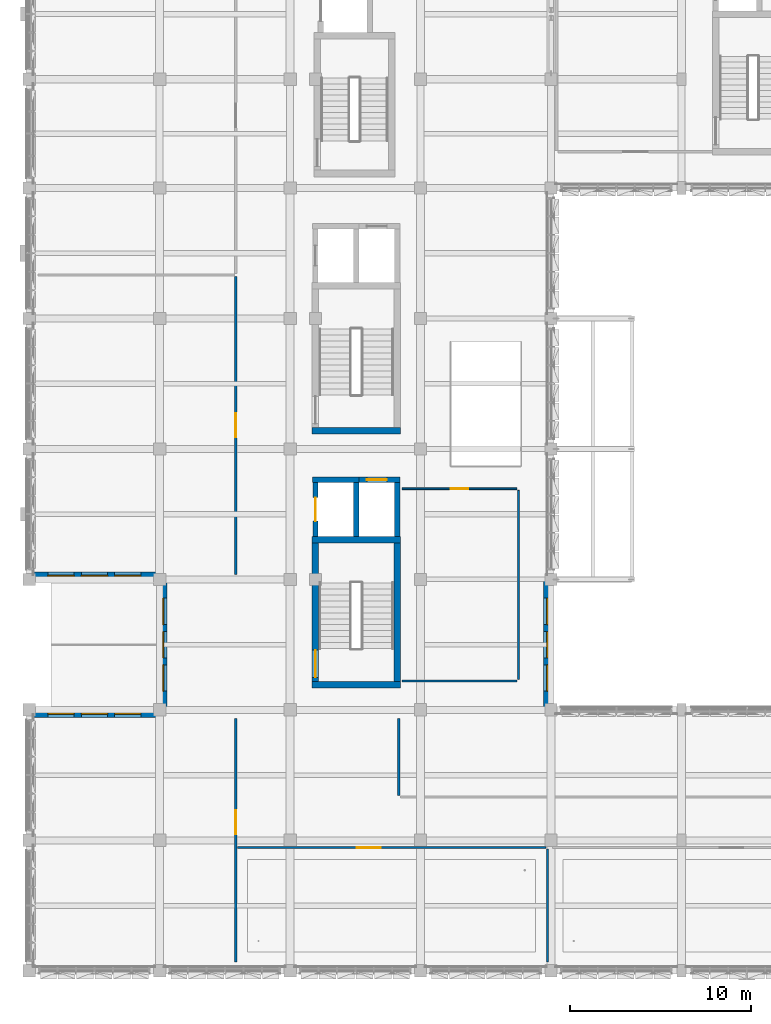
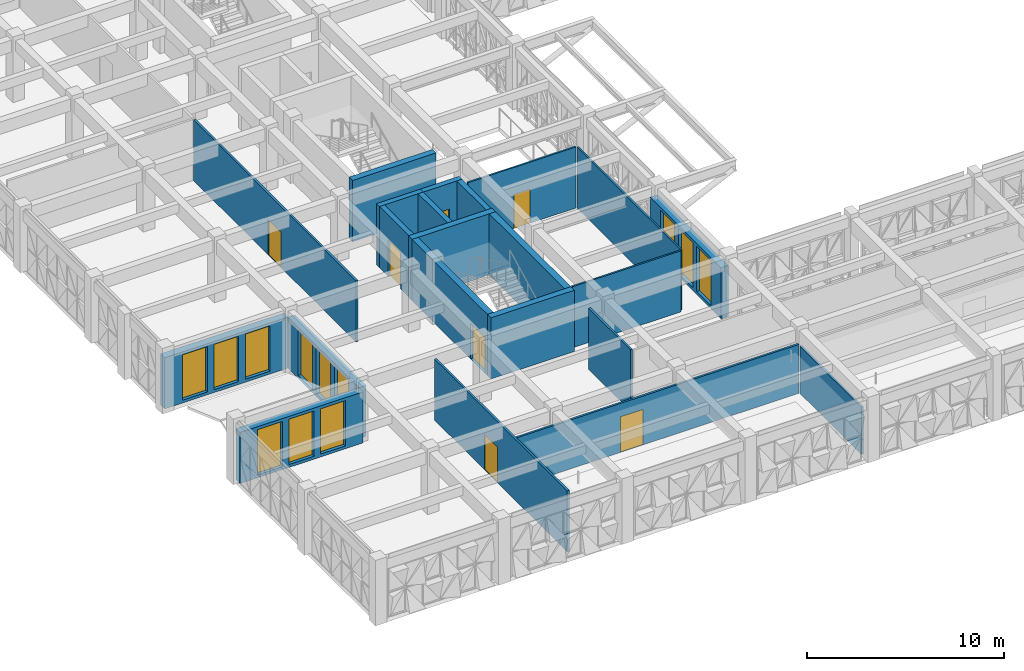
# One storey, part 42 of 88: 22 walls, 12 windows, 7 doors, 19 openings.
"""IFC4 building model written with IfcOpenShell, lengths in metres."""

from ifc_helpers import new_model, si_unit, direction, frame, frame_2d, origin, place, context, subcontext, project, spatial, rectangle, extrude, material, layer, layer_set, type_object, element, fill, save


model = new_model("IFC4")

# Units and contexts
model_context = context("Model", 3, precision=1e-05, world=origin(), true_north=direction((0.0, 1.0)))
body_context = subcontext(model_context, "Body", "Model", "MODEL_VIEW")
ifc_project = project(units=[si_unit("LENGTHUNIT", "METRE"), si_unit("AREAUNIT", "SQUARE_METRE"), si_unit("VOLUMEUNIT", "CUBIC_METRE"), si_unit("PLANEANGLEUNIT", "RADIAN"), si_unit("MASSUNIT", "GRAM", prefix="KILO")], contexts=[model_context])

# Site, building, storey
site_placement = place(None, origin())
site = spatial("IfcSite", under=ifc_project, at=site_placement, CompositionType="ELEMENT")
building_placement = place(site_placement, origin())
building = spatial("IfcBuilding", under=site, at=building_placement, Name="Alvorim Cloister Faculty of Sciences", CompositionType="ELEMENT")
storey_placement = place(building_placement, frame((0.0, 0.0, 4.5)))
storey = spatial("IfcBuildingStorey", under=building, at=storey_placement, Name="L01", CompositionType="ELEMENT", Elevation=4.5)

# Wall, openings, windows
ifc_material_1 = material(Name="Maua Grey Granite Stone", Category="masonry")
ifc_layer_1 = layer(ifc_material_1, 0.419921875)
ifc_layer_set_1 = layer_set([ifc_layer_1], Name="Maua Grey Granite Stone")
wall_type_1 = type_object("IfcWallType", Name="WL-EXT-GRN-420", PredefinedType="SOLIDWALL", material=ifc_layer_set_1)
wall_1_placement = place(storey_placement, frame((7.409912109375, 14.39990234375, 0.0), z_axis=(0.0, 0.0, 1.0), x_axis=(0.0, 1.0, 0.0)))
wall_1 = element("IfcWall", 1, at=wall_1_placement, inside=storey, type_object=wall_type_1, Name="L01 Exterior Wall WL-0105", PredefinedType="SOLIDWALL", context=body_context, shape_type="SweptSolid", body=[
    extrude(rectangle(XDim=7.2001953125, YDim=0.419921875, at=frame_2d((3.60009765625, 0.0))), origin(), (0.0, 0.0, 1.0), 3.159912109375),
])
opening_1_placement = place(wall_1_placement, frame((1.03759765625, 0.0, 0.179931640625)))
opening_1 = element("IfcOpeningElement", 2, at=opening_1_placement, cuts=wall_1, Name="Opening W-08", PredefinedType="OPENING", context=body_context, shape_type="SweptSolid", body=[
    extrude(rectangle(XDim=1.449951171875, YDim=2.800048828125, at=frame_2d((0.72509765625, 1.39990234375))), frame((0.0, 0.221923828125, 0.0), z_axis=(0.0, -1.0, 0.0), x_axis=(1.0, 0.0, 0.0)), (0.0, 0.0, 1.0), 0.44384765625),
])
opening_2_placement = place(wall_1_placement, frame((2.875, 0.0, 0.179931640625)))
opening_2 = element("IfcOpeningElement", 3, at=opening_2_placement, cuts=wall_1, Name="Opening W-08", PredefinedType="OPENING", context=body_context, shape_type="SweptSolid", body=[
    extrude(rectangle(XDim=1.449951171875, YDim=2.800048828125, at=frame_2d((0.72509765625, 1.39990234375))), frame((0.0, 0.221923828125, 0.0), z_axis=(0.0, -1.0, 0.0), x_axis=(1.0, 0.0, 0.0)), (0.0, 0.0, 1.0), 0.44384765625),
])
opening_3_placement = place(wall_1_placement, frame((4.71240234375, 0.0, 0.179931640625)))
opening_3 = element("IfcOpeningElement", 4, at=opening_3_placement, cuts=wall_1, Name="Opening W-08", PredefinedType="OPENING", context=body_context, shape_type="SweptSolid", body=[
    extrude(rectangle(XDim=1.449951171875, YDim=2.800048828125, at=frame_2d((0.72509765625, 1.39990234375))), frame((0.0, 0.221923828125, 0.0), z_axis=(0.0, -1.0, 0.0), x_axis=(1.0, 0.0, 0.0)), (0.0, 0.0, 1.0), 0.44384765625),
])
ifc_material_2 = material(Name="Double Low-E Laminated Glass", Category="glass")
window_type = type_object("IfcWindowType", Name="WN-LAN-1450x2800", PartitioningType="SINGLE_PANEL", PredefinedType="WINDOW", material=ifc_material_2)
window_1_placement = place(opening_1_placement, origin())
window_1 = element("IfcWindow", 5, at=window_1_placement, inside=storey, type_object=window_type, Name="L01 Full-Height Entrance Atrium Glazed Bay WN-0124", OverallHeight=2.800048828125, OverallWidth=1.449951171875, PartitioningType="SINGLE_PANEL", PredefinedType="WINDOW", context=body_context, shape_type="SweptSolid", body=[
    extrude(rectangle(XDim=1.449951171875, YDim=2.800048828125, at=frame_2d((0.72509765625, 1.39990234375))), frame((0.0, 0.030029296875, 0.0), z_axis=(0.0, -1.0, 0.0), x_axis=(1.0, 0.0, 0.0)), (0.0, 0.0, 1.0), 0.06005859375),
])
fill(opening_1, window_1)
window_2_placement = place(opening_2_placement, origin())
window_2 = element("IfcWindow", 6, at=window_2_placement, inside=storey, type_object=window_type, Name="L01 Full-Height Entrance Atrium Glazed Bay WN-0125", OverallHeight=2.800048828125, OverallWidth=1.449951171875, PartitioningType="SINGLE_PANEL", PredefinedType="WINDOW", context=body_context, shape_type="SweptSolid", body=[
    extrude(rectangle(XDim=1.449951171875, YDim=2.800048828125, at=frame_2d((0.72509765625, 1.39990234375))), frame((0.0, 0.030029296875, 0.0), z_axis=(0.0, -1.0, 0.0), x_axis=(1.0, 0.0, 0.0)), (0.0, 0.0, 1.0), 0.06005859375),
])
fill(opening_2, window_2)
window_3_placement = place(opening_3_placement, origin())
window_3 = element("IfcWindow", 7, at=window_3_placement, inside=storey, type_object=window_type, Name="L01 Full-Height Entrance Atrium Glazed Bay WN-0126", OverallHeight=2.800048828125, OverallWidth=1.449951171875, PartitioningType="SINGLE_PANEL", PredefinedType="WINDOW", context=body_context, shape_type="SweptSolid", body=[
    extrude(rectangle(XDim=1.449951171875, YDim=2.800048828125, at=frame_2d((0.72509765625, 1.39990234375))), frame((0.0, 0.030029296875, 0.0), z_axis=(0.0, -1.0, 0.0), x_axis=(1.0, 0.0, 0.0)), (0.0, 0.0, 1.0), 0.06005859375),
])
fill(opening_3, window_3)

wall_2_placement = place(storey_placement, frame((0.0, 21.81005859375, 0.0), z_axis=(0.0, 0.0, 1.0), x_axis=(1.0, 0.0, 0.0)))
wall_2 = element("IfcWall", 8, at=wall_2_placement, inside=storey, type_object=wall_type_1, Name="L01 Exterior Wall WL-0106", PredefinedType="SOLIDWALL", context=body_context, shape_type="SweptSolid", body=[
    extrude(rectangle(XDim=7.199951171875, YDim=0.419921875, at=frame_2d((3.60009765625, 0.0))), origin(), (0.0, 0.0, 1.0), 3.159912109375),
])
opening_4_placement = place(wall_2_placement, frame((1.03759765625, 0.0, 0.179931640625)))
opening_4 = element("IfcOpeningElement", 9, at=opening_4_placement, cuts=wall_2, Name="Opening W-08", PredefinedType="OPENING", context=body_context, shape_type="SweptSolid", body=[
    extrude(rectangle(XDim=1.449951171875, YDim=2.800048828125, at=frame_2d((0.72509765625, 1.39990234375))), frame((0.0, 0.221923828125, 0.0), z_axis=(0.0, -1.0, 0.0), x_axis=(1.0, 0.0, 0.0)), (0.0, 0.0, 1.0), 0.44384765625),
])
opening_5_placement = place(wall_2_placement, frame((2.875, 0.0, 0.179931640625)))
opening_5 = element("IfcOpeningElement", 10, at=opening_5_placement, cuts=wall_2, Name="Opening W-08", PredefinedType="OPENING", context=body_context, shape_type="SweptSolid", body=[
    extrude(rectangle(XDim=1.449951171875, YDim=2.800048828125, at=frame_2d((0.72509765625, 1.39990234375))), frame((0.0, 0.221923828125, 0.0), z_axis=(0.0, -1.0, 0.0), x_axis=(1.0, 0.0, 0.0)), (0.0, 0.0, 1.0), 0.44384765625),
])
opening_6_placement = place(wall_2_placement, frame((4.71240234375, 0.0, 0.179931640625)))
opening_6 = element("IfcOpeningElement", 11, at=opening_6_placement, cuts=wall_2, Name="Opening W-08", PredefinedType="OPENING", context=body_context, shape_type="SweptSolid", body=[
    extrude(rectangle(XDim=1.449951171875, YDim=2.800048828125, at=frame_2d((0.72509765625, 1.39990234375))), frame((0.0, 0.221923828125, 0.0), z_axis=(0.0, -1.0, 0.0), x_axis=(1.0, 0.0, 0.0)), (0.0, 0.0, 1.0), 0.44384765625),
])
window_4_placement = place(opening_4_placement, origin())
window_4 = element("IfcWindow", 12, at=window_4_placement, inside=storey, type_object=window_type, Name="L01 Full-Height Entrance Atrium Glazed Bay WN-0127", OverallHeight=2.800048828125, OverallWidth=1.449951171875, PartitioningType="SINGLE_PANEL", PredefinedType="WINDOW", context=body_context, shape_type="SweptSolid", body=[
    extrude(rectangle(XDim=1.449951171875, YDim=2.800048828125, at=frame_2d((0.72509765625, 1.39990234375))), frame((0.0, 0.030029296875, 0.0), z_axis=(0.0, -1.0, 0.0), x_axis=(1.0, 0.0, 0.0)), (0.0, 0.0, 1.0), 0.06005859375),
])
fill(opening_4, window_4)
window_5_placement = place(opening_5_placement, origin())
window_5 = element("IfcWindow", 13, at=window_5_placement, inside=storey, type_object=window_type, Name="L01 Full-Height Entrance Atrium Glazed Bay WN-0128", OverallHeight=2.800048828125, OverallWidth=1.449951171875, PartitioningType="SINGLE_PANEL", PredefinedType="WINDOW", context=body_context, shape_type="SweptSolid", body=[
    extrude(rectangle(XDim=1.449951171875, YDim=2.800048828125, at=frame_2d((0.72509765625, 1.39990234375))), frame((0.0, 0.030029296875, 0.0), z_axis=(0.0, -1.0, 0.0), x_axis=(1.0, 0.0, 0.0)), (0.0, 0.0, 1.0), 0.06005859375),
])
fill(opening_5, window_5)
window_6_placement = place(opening_6_placement, origin())
window_6 = element("IfcWindow", 14, at=window_6_placement, inside=storey, type_object=window_type, Name="L01 Full-Height Entrance Atrium Glazed Bay WN-0129", OverallHeight=2.800048828125, OverallWidth=1.449951171875, PartitioningType="SINGLE_PANEL", PredefinedType="WINDOW", context=body_context, shape_type="SweptSolid", body=[
    extrude(rectangle(XDim=1.449951171875, YDim=2.800048828125, at=frame_2d((0.72509765625, 1.39990234375))), frame((0.0, 0.030029296875, 0.0), z_axis=(0.0, -1.0, 0.0), x_axis=(1.0, 0.0, 0.0)), (0.0, 0.0, 1.0), 0.06005859375),
])
fill(opening_6, window_6)

wall_3_placement = place(storey_placement, frame((28.590087890625, 14.39990234375, 0.0), z_axis=(0.0, 0.0, 1.0), x_axis=(0.0, 1.0, 0.0)))
wall_3 = element("IfcWall", 15, at=wall_3_placement, inside=storey, type_object=wall_type_1, Name="L01 Exterior Wall WL-0127", PredefinedType="SOLIDWALL", context=body_context, shape_type="SweptSolid", body=[
    extrude(rectangle(XDim=7.2001953125, YDim=0.419921875, at=frame_2d((3.60009765625, 0.0))), origin(), (0.0, 0.0, 1.0), 3.159912109375),
])
opening_7_placement = place(wall_3_placement, frame((1.03759765625, 0.0, 0.179931640625)))
opening_7 = element("IfcOpeningElement", 16, at=opening_7_placement, cuts=wall_3, Name="Opening W-08", PredefinedType="OPENING", context=body_context, shape_type="SweptSolid", body=[
    extrude(rectangle(XDim=1.449951171875, YDim=2.800048828125, at=frame_2d((0.72509765625, 1.39990234375))), frame((0.0, 0.221923828125, 0.0), z_axis=(0.0, -1.0, 0.0), x_axis=(1.0, 0.0, 0.0)), (0.0, 0.0, 1.0), 0.44384765625),
])
opening_8_placement = place(wall_3_placement, frame((2.875, 0.0, 0.179931640625)))
opening_8 = element("IfcOpeningElement", 17, at=opening_8_placement, cuts=wall_3, Name="Opening W-08", PredefinedType="OPENING", context=body_context, shape_type="SweptSolid", body=[
    extrude(rectangle(XDim=1.449951171875, YDim=2.800048828125, at=frame_2d((0.72509765625, 1.39990234375))), frame((0.0, 0.221923828125, 0.0), z_axis=(0.0, -1.0, 0.0), x_axis=(1.0, 0.0, 0.0)), (0.0, 0.0, 1.0), 0.44384765625),
])
opening_9_placement = place(wall_3_placement, frame((4.71240234375, 0.0, 0.179931640625)))
opening_9 = element("IfcOpeningElement", 18, at=opening_9_placement, cuts=wall_3, Name="Opening W-08", PredefinedType="OPENING", context=body_context, shape_type="SweptSolid", body=[
    extrude(rectangle(XDim=1.449951171875, YDim=2.800048828125, at=frame_2d((0.72509765625, 1.39990234375))), frame((0.0, 0.221923828125, 0.0), z_axis=(0.0, -1.0, 0.0), x_axis=(1.0, 0.0, 0.0)), (0.0, 0.0, 1.0), 0.44384765625),
])
window_7_placement = place(opening_7_placement, origin())
window_7 = element("IfcWindow", 19, at=window_7_placement, inside=storey, type_object=window_type, Name="L01 Full-Height Entrance Atrium Glazed Bay WN-0169", OverallHeight=2.800048828125, OverallWidth=1.449951171875, PartitioningType="SINGLE_PANEL", PredefinedType="WINDOW", context=body_context, shape_type="SweptSolid", body=[
    extrude(rectangle(XDim=1.449951171875, YDim=2.800048828125, at=frame_2d((0.72509765625, 1.39990234375))), frame((0.0, 0.030029296875, 0.0), z_axis=(0.0, -1.0, 0.0), x_axis=(1.0, 0.0, 0.0)), (0.0, 0.0, 1.0), 0.06005859375),
])
fill(opening_7, window_7)
window_8_placement = place(opening_8_placement, origin())
window_8 = element("IfcWindow", 20, at=window_8_placement, inside=storey, type_object=window_type, Name="L01 Full-Height Entrance Atrium Glazed Bay WN-0170", OverallHeight=2.800048828125, OverallWidth=1.449951171875, PartitioningType="SINGLE_PANEL", PredefinedType="WINDOW", context=body_context, shape_type="SweptSolid", body=[
    extrude(rectangle(XDim=1.449951171875, YDim=2.800048828125, at=frame_2d((0.72509765625, 1.39990234375))), frame((0.0, 0.030029296875, 0.0), z_axis=(0.0, -1.0, 0.0), x_axis=(1.0, 0.0, 0.0)), (0.0, 0.0, 1.0), 0.06005859375),
])
fill(opening_8, window_8)
window_9_placement = place(opening_9_placement, origin())
window_9 = element("IfcWindow", 21, at=window_9_placement, inside=storey, type_object=window_type, Name="L01 Full-Height Entrance Atrium Glazed Bay WN-0171", OverallHeight=2.800048828125, OverallWidth=1.449951171875, PartitioningType="SINGLE_PANEL", PredefinedType="WINDOW", context=body_context, shape_type="SweptSolid", body=[
    extrude(rectangle(XDim=1.449951171875, YDim=2.800048828125, at=frame_2d((0.72509765625, 1.39990234375))), frame((0.0, 0.030029296875, 0.0), z_axis=(0.0, -1.0, 0.0), x_axis=(1.0, 0.0, 0.0)), (0.0, 0.0, 1.0), 0.06005859375),
])
fill(opening_9, window_9)

wall_4_placement = place(storey_placement, frame((0.0, 14.18994140625, 0.0), z_axis=(0.0, 0.0, 1.0), x_axis=(1.0, 0.0, 0.0)))
wall_4 = element("IfcWall", 22, at=wall_4_placement, inside=storey, type_object=wall_type_1, Name="L01 Exterior Wall WL-0154", PredefinedType="SOLIDWALL", context=body_context, shape_type="SweptSolid", body=[
    extrude(rectangle(XDim=7.199951171875, YDim=0.419921875, at=frame_2d((3.60009765625, 0.0))), origin(), (0.0, 0.0, 1.0), 3.159912109375),
])
opening_10_placement = place(wall_4_placement, frame((1.03759765625, 0.0, 0.179931640625)))
opening_10 = element("IfcOpeningElement", 23, at=opening_10_placement, cuts=wall_4, Name="Opening W-08", PredefinedType="OPENING", context=body_context, shape_type="SweptSolid", body=[
    extrude(rectangle(XDim=1.449951171875, YDim=2.800048828125, at=frame_2d((0.72509765625, 1.39990234375))), frame((0.0, 0.221923828125, 0.0), z_axis=(0.0, -1.0, 0.0), x_axis=(1.0, 0.0, 0.0)), (0.0, 0.0, 1.0), 0.44384765625),
])
opening_11_placement = place(wall_4_placement, frame((2.875, 0.0, 0.179931640625)))
opening_11 = element("IfcOpeningElement", 24, at=opening_11_placement, cuts=wall_4, Name="Opening W-08", PredefinedType="OPENING", context=body_context, shape_type="SweptSolid", body=[
    extrude(rectangle(XDim=1.449951171875, YDim=2.800048828125, at=frame_2d((0.72509765625, 1.39990234375))), frame((0.0, 0.221923828125, 0.0), z_axis=(0.0, -1.0, 0.0), x_axis=(1.0, 0.0, 0.0)), (0.0, 0.0, 1.0), 0.44384765625),
])
opening_12_placement = place(wall_4_placement, frame((4.71240234375, 0.0, 0.179931640625)))
opening_12 = element("IfcOpeningElement", 25, at=opening_12_placement, cuts=wall_4, Name="Opening W-08", PredefinedType="OPENING", context=body_context, shape_type="SweptSolid", body=[
    extrude(rectangle(XDim=1.449951171875, YDim=2.800048828125, at=frame_2d((0.72509765625, 1.39990234375))), frame((0.0, 0.221923828125, 0.0), z_axis=(0.0, -1.0, 0.0), x_axis=(1.0, 0.0, 0.0)), (0.0, 0.0, 1.0), 0.44384765625),
])
window_10_placement = place(opening_10_placement, origin())
window_10 = element("IfcWindow", 26, at=window_10_placement, inside=storey, type_object=window_type, Name="L01 Full-Height Entrance Atrium Glazed Bay WN-0224", OverallHeight=2.800048828125, OverallWidth=1.449951171875, PartitioningType="SINGLE_PANEL", PredefinedType="WINDOW", context=body_context, shape_type="SweptSolid", body=[
    extrude(rectangle(XDim=1.449951171875, YDim=2.800048828125, at=frame_2d((0.72509765625, 1.39990234375))), frame((0.0, 0.030029296875, 0.0), z_axis=(0.0, -1.0, 0.0), x_axis=(1.0, 0.0, 0.0)), (0.0, 0.0, 1.0), 0.06005859375),
])
fill(opening_10, window_10)
window_11_placement = place(opening_11_placement, origin())
window_11 = element("IfcWindow", 27, at=window_11_placement, inside=storey, type_object=window_type, Name="L01 Full-Height Entrance Atrium Glazed Bay WN-0225", OverallHeight=2.800048828125, OverallWidth=1.449951171875, PartitioningType="SINGLE_PANEL", PredefinedType="WINDOW", context=body_context, shape_type="SweptSolid", body=[
    extrude(rectangle(XDim=1.449951171875, YDim=2.800048828125, at=frame_2d((0.72509765625, 1.39990234375))), frame((0.0, 0.030029296875, 0.0), z_axis=(0.0, -1.0, 0.0), x_axis=(1.0, 0.0, 0.0)), (0.0, 0.0, 1.0), 0.06005859375),
])
fill(opening_11, window_11)
window_12_placement = place(opening_12_placement, origin())
window_12 = element("IfcWindow", 28, at=window_12_placement, inside=storey, type_object=window_type, Name="L01 Full-Height Entrance Atrium Glazed Bay WN-0226", OverallHeight=2.800048828125, OverallWidth=1.449951171875, PartitioningType="SINGLE_PANEL", PredefinedType="WINDOW", context=body_context, shape_type="SweptSolid", body=[
    extrude(rectangle(XDim=1.449951171875, YDim=2.800048828125, at=frame_2d((0.72509765625, 1.39990234375))), frame((0.0, 0.030029296875, 0.0), z_axis=(0.0, -1.0, 0.0), x_axis=(1.0, 0.0, 0.0)), (0.0, 0.0, 1.0), 0.06005859375),
])
fill(opening_12, window_12)

# Walls
ifc_material_3 = material(Name="Moisture-Resistant Tile Stud Partition", Category="gypsum")
ifc_layer_2 = layer(ifc_material_3, 0.10009765625)
ifc_layer_set_2 = layer_set([ifc_layer_2], Name="Moisture-Resistant Tile Stud Partition")
wall_type_2 = type_object("IfcWallType", Name="WL-PRT-100", PredefinedType="PARTITIONING", material=ifc_layer_set_2)
wall_5_placement = place(storey_placement, frame((20.580078125, 16.0, 0.0), z_axis=(0.0, 0.0, 1.0), x_axis=(1.0, 0.0, 0.0)))
element("IfcWall", 29, at=wall_5_placement, inside=storey, type_object=wall_type_2, Name="L01 L01 Tower Accessible WCs Partition IWL-0514", PredefinedType="PARTITIONING", context=body_context, shape_type="SweptSolid", body=[
    extrude(rectangle(XDim=6.33984375, YDim=0.10009765625, at=frame_2d((3.169921875, 0.0))), origin(), (0.0, 0.0, 1.0), 3.77490234375),
])
wall_6_placement = place(storey_placement, frame((27.0, 16.080078125, 0.0), z_axis=(0.0, 0.0, 1.0), x_axis=(0.0, 1.0, 0.0)))
element("IfcWall", 30, at=wall_6_placement, inside=storey, type_object=wall_type_2, Name="L01 L01 Tower Accessible WCs Partition IWL-0515", PredefinedType="PARTITIONING", context=body_context, shape_type="SweptSolid", body=[
    extrude(rectangle(XDim=10.43994140625, YDim=0.10009765625, at=frame_2d((5.219970703125, 0.0))), origin(), (0.0, 0.0, 1.0), 3.77490234375),
])

# Wall, opening, door
wall_7_placement = place(storey_placement, frame((20.580078125, 26.60009765625, 0.0), z_axis=(0.0, 0.0, 1.0), x_axis=(1.0, 0.0, 0.0)))
wall_7 = element("IfcWall", 31, at=wall_7_placement, inside=storey, type_object=wall_type_2, Name="L01 L01 Tower Accessible WCs Partition IWL-0516", PredefinedType="PARTITIONING", context=body_context, shape_type="SweptSolid", body=[
    extrude(rectangle(XDim=6.33984375, YDim=0.10009765625, at=frame_2d((3.169921875, 0.0))), origin(), (0.0, 0.0, 1.0), 3.77490234375),
])
opening_13_placement = place(wall_7_placement, frame((2.695068359375, 0.0, 0.0)))
opening_13 = element("IfcOpeningElement", 32, at=opening_13_placement, cuts=wall_7, Name="Opening D-L01-108", PredefinedType="OPENING", context=body_context, shape_type="SweptSolid", body=[
    extrude(rectangle(XDim=0.949951171875, YDim=2.10009765625, at=frame_2d((0.47509765625, 1.050048828125))), frame((0.0, 0.06201171875, 0.0), z_axis=(0.0, -1.0, 0.0), x_axis=(1.0, 0.0, 0.0)), (0.0, 0.0, 1.0), 0.1240234375),
])
ifc_material_4 = material(Name="Moisture-Resistant Laminate Timber", Category="wood")
door_type_1 = type_object("IfcDoorType", Name="DR-WC-950x2100", OperationType="NOTDEFINED", PredefinedType="DOOR", material=ifc_material_4)
door_1_placement = place(opening_13_placement, origin())
door_1 = element("IfcDoor", 33, at=door_1_placement, inside=storey, type_object=door_type_1, Name="L01 Tower Accessible WCs Door D-L01-108", OperationType="SINGLE_SWING_RIGHT", OverallHeight=2.10009765625, OverallWidth=0.949951171875, PredefinedType="DOOR", context=body_context, shape_type="SweptSolid", body=[
    extrude(rectangle(XDim=0.949951171875, YDim=2.10009765625, at=frame_2d((0.47509765625, 1.050048828125))), frame((0.0, 0.02490234375, 0.0), z_axis=(0.0, -1.0, 0.0), x_axis=(1.0, 0.0, 0.0)), (0.0, 0.0, 1.0), 0.050048828125),
])
fill(opening_13, door_1)

ifc_material_5 = material(Name="Acoustic Gypsum Stud Partition", Category="gypsum")
ifc_layer_3 = layer(ifc_material_5, 0.1201171875)
ifc_layer_set_3 = layer_set([ifc_layer_3], Name="Acoustic Gypsum Stud Partition")
wall_type_3 = type_object("IfcWallType", Name="WL-PRT-120", PredefinedType="PARTITIONING", material=ifc_layer_set_3)
wall_8_placement = place(storey_placement, frame((11.39990234375, 0.47998046875, 0.0), z_axis=(0.0, 0.0, 1.0), x_axis=(0.0, 1.0, 0.0)))
wall_8 = element("IfcWall", 34, at=wall_8_placement, inside=storey, type_object=wall_type_3, Name="L01 Colonnade Bridge Seminar Room 101 Partition IWL-0500", PredefinedType="PARTITIONING", context=body_context, shape_type="SweptSolid", body=[
    extrude(rectangle(XDim=13.43994140625, YDim=0.1201171875, at=frame_2d((6.719970703125, 0.0))), origin(), (0.0, 0.0, 1.0), 3.77490234375),
])
opening_14_placement = place(wall_8_placement, frame((7.06005859375, 0.0, 0.0)))
opening_14 = element("IfcOpeningElement", 35, at=opening_14_placement, cuts=wall_8, Name="Opening D-L01-101", PredefinedType="OPENING", context=body_context, shape_type="SweptSolid", body=[
    extrude(rectangle(XDim=1.320068359375, YDim=2.199951171875, at=frame_2d((0.66015625, 1.10009765625))), frame((0.0, 0.072021484375, 0.0), z_axis=(0.0, -1.0, 0.0), x_axis=(1.0, 0.0, 0.0)), (0.0, 0.0, 1.0), 0.14404296875),
])
ifc_material_6 = material(Name="Solid Acoustic Oak Timber", Category="wood")
door_type_2 = type_object("IfcDoorType", Name="DR-SEM-1320x2200", OperationType="NOTDEFINED", PredefinedType="DOOR", material=ifc_material_6)
door_2_placement = place(opening_14_placement, origin())
door_2 = element("IfcDoor", 36, at=door_2_placement, inside=storey, type_object=door_type_2, Name="Colonnade Bridge Seminar Room 101 Door D-L01-101", OperationType="SINGLE_SWING_LEFT", OverallHeight=2.199951171875, OverallWidth=1.320068359375, PredefinedType="DOOR", context=body_context, shape_type="SweptSolid", body=[
    extrude(rectangle(XDim=1.320068359375, YDim=2.199951171875, at=frame_2d((0.66015625, 1.10009765625))), frame((0.0, 0.02490234375, 0.0), z_axis=(0.0, -1.0, 0.0), x_axis=(1.0, 0.0, 0.0)), (0.0, 0.0, 1.0), 0.050048828125),
])
fill(opening_14, door_2)

# Wall
wall_9_placement = place(storey_placement, frame((28.60009765625, 0.47998046875, 0.0), z_axis=(0.0, 0.0, 1.0), x_axis=(0.0, 1.0, 0.0)))
element("IfcWall", 37, at=wall_9_placement, inside=storey, type_object=wall_type_3, Name="L01 Seminar Room 102 Partition IWL-0501", PredefinedType="PARTITIONING", context=body_context, shape_type="SweptSolid", body=[
    extrude(rectangle(XDim=6.239990234375, YDim=0.1201171875, at=frame_2d((3.1201171875, 0.0))), origin(), (0.0, 0.0, 1.0), 2.925048828125),
])

# Wall, opening, door
wall_10_placement = place(storey_placement, frame((11.5, 6.800048828125, 0.0), z_axis=(0.0, 0.0, 1.0), x_axis=(1.0, 0.0, 0.0)))
wall_10 = element("IfcWall", 38, at=wall_10_placement, inside=storey, type_object=wall_type_3, Name="L01 Seminar Room 102 Partition IWL-0502", PredefinedType="PARTITIONING", context=body_context, shape_type="SweptSolid", body=[
    extrude(rectangle(XDim=17.02001953125, YDim=0.1201171875, at=frame_2d((8.510009765625, 0.0))), origin(), (0.0, 0.0, 1.0), 3.02490234375),
])
opening_15_placement = place(wall_10_placement, frame((6.578369140625, 0.0, 0.0)))
opening_15 = element("IfcOpeningElement", 39, at=opening_15_placement, cuts=wall_10, Name="Opening D-L01-102", PredefinedType="OPENING", context=body_context, shape_type="SweptSolid", body=[
    extrude(rectangle(XDim=1.320068359375, YDim=2.199951171875, at=frame_2d((0.66015625, 1.10009765625))), frame((0.0, 0.072021484375, 0.0), z_axis=(0.0, -1.0, 0.0), x_axis=(1.0, 0.0, 0.0)), (0.0, 0.0, 1.0), 0.14404296875),
])
door_3_placement = place(opening_15_placement, origin())
door_3 = element("IfcDoor", 40, at=door_3_placement, inside=storey, type_object=door_type_2, Name="Seminar Room 102 Door D-L01-102", OperationType="SINGLE_SWING_RIGHT", OverallHeight=2.199951171875, OverallWidth=1.320068359375, PredefinedType="DOOR", context=body_context, shape_type="SweptSolid", body=[
    extrude(rectangle(XDim=1.320068359375, YDim=2.199951171875, at=frame_2d((0.66015625, 1.10009765625))), frame((0.0, 0.02490234375, 0.0), z_axis=(0.0, -1.0, 0.0), x_axis=(1.0, 0.0, 0.0)), (0.0, 0.0, 1.0), 0.050048828125),
])
fill(opening_15, door_3)

# Wall
wall_11_placement = place(storey_placement, frame((20.39990234375, 9.679931640625, 0.0), z_axis=(0.0, 0.0, 1.0), x_axis=(0.0, 1.0, 0.0)))
element("IfcWall", 41, at=wall_11_placement, inside=storey, type_object=wall_type_3, Name="L01 Cloister Tutorial Classrooms Partition IWL-0507", PredefinedType="PARTITIONING", context=body_context, shape_type="SweptSolid", body=[
    extrude(rectangle(XDim=4.239990234375, YDim=0.1201171875, at=frame_2d((2.1201171875, 0.0))), origin(), (0.0, 0.0, 1.0), 3.77490234375),
])

# Wall, opening, door
wall_12_placement = place(storey_placement, frame((11.39990234375, 21.8798828125, 0.0), z_axis=(0.0, 0.0, 1.0), x_axis=(0.0, 1.0, 0.0)))
wall_12 = element("IfcWall", 42, at=wall_12_placement, inside=storey, type_object=wall_type_3, Name="L01 Bioinformatics Computing Studio Partition IWL-0510", PredefinedType="PARTITIONING", context=body_context, shape_type="SweptSolid", body=[
    extrude(rectangle(XDim=16.440185546875, YDim=0.1201171875, at=frame_2d((8.22021484375, 0.0))), origin(), (0.0, 0.0, 1.0), 3.77490234375),
])
opening_16_placement = place(wall_12_placement, frame((7.56005859375, 0.0, 0.0)))
opening_16 = element("IfcOpeningElement", 43, at=opening_16_placement, cuts=wall_12, Name="Opening D-L01-106", PredefinedType="OPENING", context=body_context, shape_type="SweptSolid", body=[
    extrude(rectangle(XDim=1.320068359375, YDim=2.199951171875, at=frame_2d((0.66015625, 1.10009765625))), frame((0.0, 0.072021484375, 0.0), z_axis=(0.0, -1.0, 0.0), x_axis=(1.0, 0.0, 0.0)), (0.0, 0.0, 1.0), 0.14404296875),
])
door_4_placement = place(opening_16_placement, origin())
door_4 = element("IfcDoor", 44, at=door_4_placement, inside=storey, type_object=door_type_2, Name="Bioinformatics Computing Studio Door D-L01-106", OperationType="SINGLE_SWING_RIGHT", OverallHeight=2.199951171875, OverallWidth=1.320068359375, PredefinedType="DOOR", context=body_context, shape_type="SweptSolid", body=[
    extrude(rectangle(XDim=1.320068359375, YDim=2.199951171875, at=frame_2d((0.66015625, 1.10009765625))), frame((0.0, 0.02490234375, 0.0), z_axis=(0.0, -1.0, 0.0), x_axis=(1.0, 0.0, 0.0)), (0.0, 0.0, 1.0), 0.050048828125),
])
fill(opening_16, door_4)

# Wall
ifc_material_7 = material(Name="Concrete C40", Category="concrete")
ifc_layer_4 = layer(ifc_material_7, 0.300048828125)
ifc_layer_set_4 = layer_set([ifc_layer_4], Name="Concrete C40")
wall_type_4 = type_object("IfcWallType", Name="WL-SHR-300", PredefinedType="SHEAR", material=ifc_layer_set_4)
wall_13_placement = place(storey_placement, frame((15.64990234375, 27.10009765625, 0.0), z_axis=(0.0, 0.0, 1.0), x_axis=(1.0, 0.0, 0.0)))
element("IfcWall", 45, at=wall_13_placement, inside=storey, type_object=wall_type_4, Name="L01 Lift LF-01 Shaft Wall IWL-0239", PredefinedType="SHEAR", context=body_context, shape_type="SweptSolid", body=[
    extrude(rectangle(XDim=2.56005859375, YDim=0.300048828125, at=frame_2d((1.280029296875, 0.0))), origin(), (0.0, 0.0, 1.0), 3.7900390625),
])

# Wall, opening, door
wall_14_placement = place(storey_placement, frame((15.800048828125, 23.97998046875, 0.0), z_axis=(0.0, 0.0, 1.0), x_axis=(0.0, 1.0, 0.0)))
wall_14 = element("IfcWall", 46, at=wall_14_placement, inside=storey, type_object=wall_type_4, Name="L01 Lift LF-01 Shaft Wall IWL-0240", PredefinedType="SHEAR", context=body_context, shape_type="SweptSolid", body=[
    extrude(rectangle(XDim=2.969970703125, YDim=0.300048828125, at=frame_2d((1.48486328125, 0.0))), origin(), (0.0, 0.0, 1.0), 3.7900390625),
])
opening_17_placement = place(wall_14_placement, frame((0.8349609375, 0.0, 0.0)))
opening_17 = element("IfcOpeningElement", 47, at=opening_17_placement, cuts=wall_14, Name="Opening LD-003", PredefinedType="OPENING", context=body_context, shape_type="SweptSolid", body=[
    extrude(rectangle(XDim=1.300048828125, YDim=2.25, at=frame_2d((0.64990234375, 1.125))), frame((0.0, 0.162109375, 0.0), z_axis=(0.0, -1.0, 0.0), x_axis=(1.0, 0.0, 0.0)), (0.0, 0.0, 1.0), 0.323974609375),
])
ifc_material_8 = material(Name="Brushed Stainless Steel", Category="steel")
door_type_3 = type_object("IfcDoorType", Name="DR-LFT-1300x2250", OperationType="NOTDEFINED", PredefinedType="DOOR", material=ifc_material_8)
door_5_placement = place(opening_17_placement, origin())
door_5 = element("IfcDoor", 48, at=door_5_placement, inside=storey, type_object=door_type_3, Name="L01 Lift LF-01 Sliding Landing Door LD-003", OperationType="DOUBLE_DOOR_SLIDING", OverallHeight=2.25, OverallWidth=1.300048828125, PredefinedType="DOOR", context=body_context, shape_type="SweptSolid", body=[
    extrude(rectangle(XDim=1.300048828125, YDim=2.25, at=frame_2d((0.64990234375, 1.125))), frame((0.0, 0.02490234375, 0.0), z_axis=(0.0, -1.0, 0.0), x_axis=(1.0, 0.0, 0.0)), (0.0, 0.0, 1.0), 0.050048828125),
])
fill(opening_17, door_5)

# Wall
wall_15_placement = place(storey_placement, frame((18.06005859375, 23.97998046875, 0.0), z_axis=(0.0, 0.0, 1.0), x_axis=(0.0, 1.0, 0.0)))
element("IfcWall", 49, at=wall_15_placement, inside=storey, type_object=wall_type_4, Name="L01 Lift LF-01 Shaft Wall IWL-0241", PredefinedType="SHEAR", context=body_context, shape_type="SweptSolid", body=[
    extrude(rectangle(XDim=2.969970703125, YDim=0.300048828125, at=frame_2d((1.48486328125, 0.0))), origin(), (0.0, 0.0, 1.0), 3.7900390625),
])

# Wall, opening, door
wall_16_placement = place(storey_placement, frame((17.909912109375, 27.10009765625, 0.0), z_axis=(0.0, 0.0, 1.0), x_axis=(1.0, 0.0, 0.0)))
wall_16 = element("IfcWall", 50, at=wall_16_placement, inside=storey, type_object=wall_type_4, Name="L01 Lift LP-01 Shaft Wall IWL-0270", PredefinedType="SHEAR", context=body_context, shape_type="SweptSolid", body=[
    extrude(rectangle(XDim=2.56005859375, YDim=0.300048828125, at=frame_2d((1.280029296875, 0.0))), origin(), (0.0, 0.0, 1.0), 3.7900390625),
])
opening_18_placement = place(wall_16_placement, frame((0.72998046875, 0.0, 0.0)))
opening_18 = element("IfcOpeningElement", 51, at=opening_18_placement, cuts=wall_16, Name="Opening LD-014", PredefinedType="OPENING", context=body_context, shape_type="SweptSolid", body=[
    extrude(rectangle(XDim=1.10009765625, YDim=2.199951171875, at=frame_2d((0.550048828125, 1.10009765625))), frame((0.0, 0.162109375, 0.0), z_axis=(0.0, -1.0, 0.0), x_axis=(1.0, 0.0, 0.0)), (0.0, 0.0, 1.0), 0.323974609375),
])
door_type_4 = type_object("IfcDoorType", Name="DR-LFT-1100x2200", OperationType="NOTDEFINED", PredefinedType="DOOR", material=ifc_material_8)
door_6_placement = place(opening_18_placement, origin())
door_6 = element("IfcDoor", 52, at=door_6_placement, inside=storey, type_object=door_type_4, Name="L01 Lift LP-01 Sliding Landing Door LD-014", OperationType="DOUBLE_DOOR_SLIDING", OverallHeight=2.199951171875, OverallWidth=1.10009765625, PredefinedType="DOOR", context=body_context, shape_type="SweptSolid", body=[
    extrude(rectangle(XDim=1.10009765625, YDim=2.199951171875, at=frame_2d((0.550048828125, 1.10009765625))), frame((0.0, 0.02490234375, 0.0), z_axis=(0.0, -1.0, 0.0), x_axis=(1.0, 0.0, 0.0)), (0.0, 0.0, 1.0), 0.050048828125),
])
fill(opening_18, door_6)

# Walls
wall_17_placement = place(storey_placement, frame((20.320068359375, 23.97998046875, 0.0), z_axis=(0.0, 0.0, 1.0), x_axis=(0.0, 1.0, 0.0)))
element("IfcWall", 53, at=wall_17_placement, inside=storey, type_object=wall_type_4, Name="L01 Lift LP-01 Shaft Wall IWL-0271", PredefinedType="SHEAR", context=body_context, shape_type="SweptSolid", body=[
    extrude(rectangle(XDim=2.969970703125, YDim=0.300048828125, at=frame_2d((1.48486328125, 0.0))), origin(), (0.0, 0.0, 1.0), 3.7900390625),
])
ifc_layer_5 = layer(ifc_material_7, 0.360107421875)
ifc_layer_set_5 = layer_set([ifc_layer_5], Name="Concrete C40")
wall_type_5 = type_object("IfcWallType", Name="WL-SHR-360", PredefinedType="SHEAR", material=ifc_layer_set_5)
for number, where, z_axis, x_axis, name in (
    (54, (15.6201171875, 15.800048828125, 0.0), (0.0, 0.0, 1.0), (1.0, 0.0, 0.0), "L01 CORE K1 Shear Wall IWL-0009"),
    (55, (15.6201171875, 23.800048828125, 0.0), (0.0, 0.0, 1.0), (1.0, 0.0, 0.0), "L01 CORE K1 Shear Wall IWL-0010"),
):
    element("IfcWall", number, at=place(storey_placement, frame(where, z_axis=z_axis, x_axis=x_axis)), inside=storey, type_object=wall_type_5, Name=name, PredefinedType="SHEAR", context=body_context, shape_type="SweptSolid", body=[
        extrude(rectangle(XDim=4.8798828125, YDim=0.360107421875, at=frame_2d((2.43994140625, 0.0))), origin(), (0.0, 0.0, 1.0), 3.7900390625),
    ])

# Wall, opening, door
wall_18_placement = place(storey_placement, frame((15.800048828125, 15.97998046875, 0.0), z_axis=(0.0, 0.0, 1.0), x_axis=(0.0, 1.0, 0.0)))
wall_18 = element("IfcWall", 56, at=wall_18_placement, inside=storey, type_object=wall_type_5, Name="L01 CORE K1 Shear Wall IWL-0011", PredefinedType="SHEAR", context=body_context, shape_type="SweptSolid", body=[
    extrude(rectangle(XDim=7.64013671875, YDim=0.360107421875, at=frame_2d((3.820068359375, 0.0))), origin(), (0.0, 0.0, 1.0), 3.7900390625),
])
opening_19_placement = place(wall_18_placement, frame((0.219970703125, 0.0, 0.0)))
opening_19 = element("IfcOpeningElement", 57, at=opening_19_placement, cuts=wall_18, Name="Opening SD-K1-L01", PredefinedType="OPENING", context=body_context, shape_type="SweptSolid", body=[
    extrude(rectangle(XDim=1.5, YDim=2.199951171875, at=frame_2d((0.75, 1.10009765625))), frame((0.0, 0.19189453125, 0.0), z_axis=(0.0, -1.0, 0.0), x_axis=(1.0, 0.0, 0.0)), (0.0, 0.0, 1.0), 0.384033203125),
])
ifc_material_9 = material(Name="Galvanised Fire-Rated Steel", Category="steel")
door_type_5 = type_object("IfcDoorType", Name="DR-STR-1500x2200", OperationType="NOTDEFINED", PredefinedType="DOOR", material=ifc_material_9)
door_7_placement = place(opening_19_placement, origin())
door_7 = element("IfcDoor", 58, at=door_7_placement, inside=storey, type_object=door_type_5, Name="L01 Stair ST-01 Fire Door SD-K1-L01", OperationType="DOUBLE_DOOR_SINGLE_SWING", OverallHeight=2.199951171875, OverallWidth=1.5, PredefinedType="DOOR", context=body_context, shape_type="SweptSolid", body=[
    extrude(rectangle(XDim=1.5, YDim=2.199951171875, at=frame_2d((0.75, 1.10009765625))), frame((0.0, 0.02490234375, 0.0), z_axis=(0.0, -1.0, 0.0), x_axis=(1.0, 0.0, 0.0)), (0.0, 0.0, 1.0), 0.050048828125),
])
fill(opening_19, door_7)

# Walls
wall_19_placement = place(storey_placement, frame((20.320068359375, 15.97998046875, 0.0), z_axis=(0.0, 0.0, 1.0), x_axis=(0.0, 1.0, 0.0)))
element("IfcWall", 59, at=wall_19_placement, inside=storey, type_object=wall_type_5, Name="L01 CORE K1 Shear Wall IWL-0012", PredefinedType="SHEAR", context=body_context, shape_type="SweptSolid", body=[
    extrude(rectangle(XDim=7.64013671875, YDim=0.360107421875, at=frame_2d((3.820068359375, 0.0))), origin(), (0.0, 0.0, 1.0), 3.7900390625),
])
wall_20_placement = place(storey_placement, frame((15.6201171875, 29.800048828125, 0.0), z_axis=(0.0, 0.0, 1.0), x_axis=(1.0, 0.0, 0.0)))
element("IfcWall", 60, at=wall_20_placement, inside=storey, type_object=wall_type_5, Name="L01 CORE K2 Shear Wall IWL-0053", PredefinedType="SHEAR", context=body_context, shape_type="SweptSolid", body=[
    extrude(rectangle(XDim=4.8798828125, YDim=0.360107421875, at=frame_2d((2.43994140625, 0.0))), origin(), (0.0, 0.0, 1.0), 3.7900390625),
])

save(model, "model.ifc")
